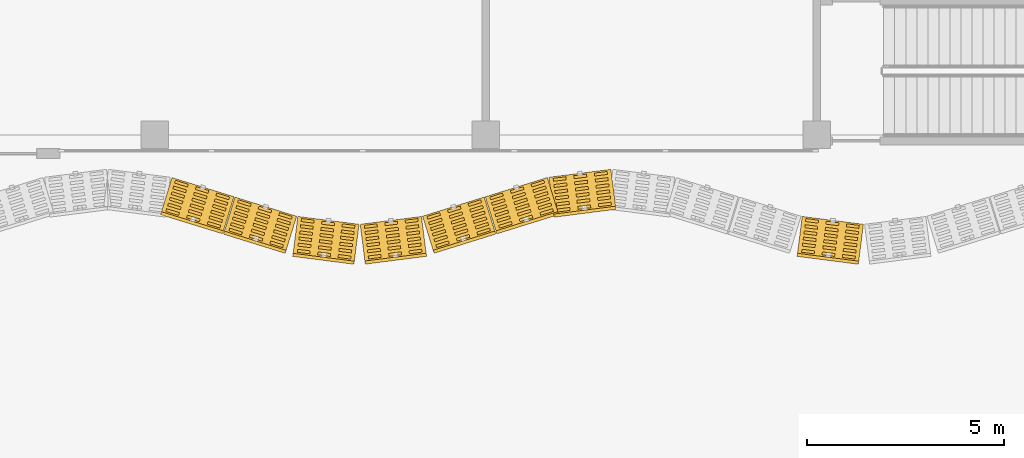
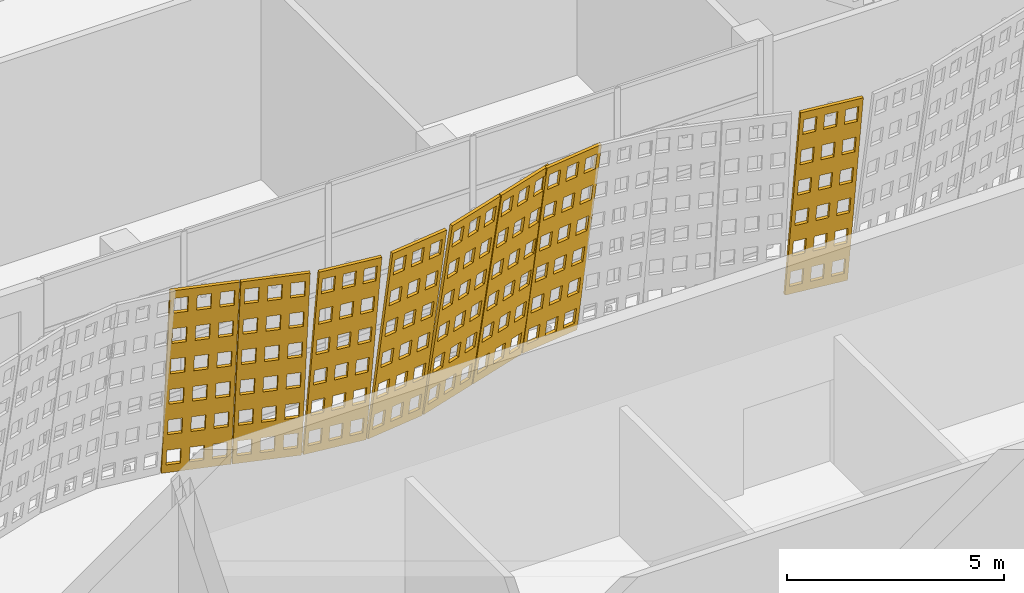
# One storey, part 192 of 210: 8 coverings.
"""IFC4 building model written with IfcOpenShell, lengths in metres."""

from ifc_helpers import new_model, si_unit, direction, frame, origin, place, context, subcontext, project, spatial, polyline, outline, extrude, material, layer, layer_set, type_object, element, save


model = new_model("IFC4")

# Units and contexts
model_context = context("Model", 3, precision=1e-05, world=origin(), true_north=direction((0.0, 1.0)))
body_context = subcontext(model_context, "Body", "Model", "MODEL_VIEW")
ifc_project = project(units=[si_unit("LENGTHUNIT", "METRE"), si_unit("AREAUNIT", "SQUARE_METRE"), si_unit("VOLUMEUNIT", "CUBIC_METRE"), si_unit("PLANEANGLEUNIT", "RADIAN"), si_unit("MASSUNIT", "GRAM", prefix="KILO")], contexts=[model_context])

# Site, building, storey
site_placement = place(None, origin())
site = spatial("IfcSite", under=ifc_project, at=site_placement, CompositionType="ELEMENT")
building_placement = place(site_placement, origin())
building = spatial("IfcBuilding", under=site, at=building_placement, Name="Rain Tree Exposition and Congress Centre", CompositionType="ELEMENT")
storey_placement = place(building_placement, origin())
storey = spatial("IfcBuildingStorey", under=building, at=storey_placement, Name="L00", CompositionType="ELEMENT", Elevation=0.0)

# Coverings
ifc_material = material(Name="Perforated terracotta", Category="masonry")
ifc_layer = layer(ifc_material, 0.080078125)
ifc_layer_set = layer_set([ifc_layer], Name="Perforated terracotta")
covering_type = type_object("IfcCoveringType", Name="Terracotta screen 80", PredefinedType="CLADDING", material=ifc_layer_set)
covering_1_placement = place(storey_placement, frame((193.60009765625, 74.445068359375, 0.0), z_axis=(0.290278371326, 0.94416859726, 0.155833651975), x_axis=(-0.955845867297, 0.293868470528, 0.0)))
element("IfcCovering", 1, at=covering_1_placement, inside=storey, type_object=covering_type, Name="concourse/screen/L00/122", PredefinedType="CLADDING", context=body_context, shape_type="SweptSolid", body=[
    extrude(outline(polyline([(-0.014892578125, 0.0), (-1.659912109375, 0.0), (-1.659912109375, 5.80859375), (-0.014892578125, 5.80859375), (-0.014892578125, 0.0)]), holes=[polyline([(-0.119140625, 0.249755859375), (-0.119140625, 0.71826171875), (-0.458984375, 0.71826171875), (-0.458984375, 0.249755859375), (-0.119140625, 0.249755859375)]), polyline([(-0.119140625, 1.218017578125), (-0.119140625, 1.686279296875), (-0.458984375, 1.686279296875), (-0.458984375, 1.218017578125), (-0.119140625, 1.218017578125)]), polyline([(-0.119140625, 2.18603515625), (-0.119140625, 2.654541015625), (-0.458984375, 2.654541015625), (-0.458984375, 2.18603515625), (-0.119140625, 2.18603515625)]), polyline([(-0.119140625, 3.154052734375), (-0.119140625, 3.62255859375), (-0.458984375, 3.62255859375), (-0.458984375, 3.154052734375), (-0.119140625, 3.154052734375)]), polyline([(-0.119140625, 4.122314453125), (-0.119140625, 4.5908203125), (-0.458984375, 4.5908203125), (-0.458984375, 4.122314453125), (-0.119140625, 4.122314453125)]), polyline([(-0.119140625, 5.09033203125), (-0.119140625, 5.558837890625), (-0.458984375, 5.558837890625), (-0.458984375, 5.09033203125), (-0.119140625, 5.09033203125)]), polyline([(-0.66748046875, 0.249755859375), (-0.66748046875, 0.71826171875), (-1.00732421875, 0.71826171875), (-1.00732421875, 0.249755859375), (-0.66748046875, 0.249755859375)]), polyline([(-0.66748046875, 1.218017578125), (-0.66748046875, 1.686279296875), (-1.00732421875, 1.686279296875), (-1.00732421875, 1.218017578125), (-0.66748046875, 1.218017578125)]), polyline([(-0.66748046875, 2.18603515625), (-0.66748046875, 2.654541015625), (-1.00732421875, 2.654541015625), (-1.00732421875, 2.18603515625), (-0.66748046875, 2.18603515625)]), polyline([(-0.66748046875, 3.154052734375), (-0.66748046875, 3.62255859375), (-1.00732421875, 3.62255859375), (-1.00732421875, 3.154052734375), (-0.66748046875, 3.154052734375)]), polyline([(-0.66748046875, 4.122314453125), (-0.66748046875, 4.5908203125), (-1.00732421875, 4.5908203125), (-1.00732421875, 4.122314453125), (-0.66748046875, 4.122314453125)]), polyline([(-0.66748046875, 5.09033203125), (-0.66748046875, 5.558837890625), (-1.00732421875, 5.558837890625), (-1.00732421875, 5.09033203125), (-0.66748046875, 5.09033203125)]), polyline([(-1.2158203125, 0.249755859375), (-1.2158203125, 0.71826171875), (-1.5556640625, 0.71826171875), (-1.5556640625, 0.249755859375), (-1.2158203125, 0.249755859375)]), polyline([(-1.2158203125, 1.218017578125), (-1.2158203125, 1.686279296875), (-1.5556640625, 1.686279296875), (-1.5556640625, 1.218017578125), (-1.2158203125, 1.218017578125)]), polyline([(-1.2158203125, 2.18603515625), (-1.2158203125, 2.654541015625), (-1.5556640625, 2.654541015625), (-1.5556640625, 2.18603515625), (-1.2158203125, 2.18603515625)]), polyline([(-1.2158203125, 3.154052734375), (-1.2158203125, 3.62255859375), (-1.5556640625, 3.62255859375), (-1.5556640625, 3.154052734375), (-1.2158203125, 3.154052734375)]), polyline([(-1.2158203125, 4.122314453125), (-1.2158203125, 4.5908203125), (-1.5556640625, 4.5908203125), (-1.5556640625, 4.122314453125), (-1.2158203125, 4.122314453125)]), polyline([(-1.2158203125, 5.09033203125), (-1.2158203125, 5.558837890625), (-1.5556640625, 5.558837890625), (-1.5556640625, 5.09033203125), (-1.2158203125, 5.09033203125)])]), origin(), (0.0, 0.0, 1.0), 0.079833984375),
])
covering_2_placement = place(storey_placement, frame((195.199951171875, 73.949951171875, 0.0), z_axis=(0.293072736571, 0.943327870838, 0.155694891303), x_axis=(-0.954973588716, 0.296690823679, 0.0)))
element("IfcCovering", 2, at=covering_2_placement, inside=storey, type_object=covering_type, Name="concourse/screen/L00/123", PredefinedType="CLADDING", context=body_context, shape_type="SweptSolid", body=[
    extrude(outline(polyline([(-0.014892578125, 0.0), (-1.65283203125, 0.0), (-1.65283203125, 5.80859375), (-0.014892578125, 5.80859375), (-0.014892578125, 0.0)]), holes=[polyline([(-0.11865234375, 0.249755859375), (-0.11865234375, 0.71826171875), (-0.457275390625, 0.71826171875), (-0.457275390625, 0.249755859375), (-0.11865234375, 0.249755859375)]), polyline([(-0.11865234375, 1.218017578125), (-0.11865234375, 1.686279296875), (-0.457275390625, 1.686279296875), (-0.457275390625, 1.218017578125), (-0.11865234375, 1.218017578125)]), polyline([(-0.11865234375, 2.18603515625), (-0.11865234375, 2.654541015625), (-0.457275390625, 2.654541015625), (-0.457275390625, 2.18603515625), (-0.11865234375, 2.18603515625)]), polyline([(-0.11865234375, 3.154052734375), (-0.11865234375, 3.62255859375), (-0.457275390625, 3.62255859375), (-0.457275390625, 3.154052734375), (-0.11865234375, 3.154052734375)]), polyline([(-0.11865234375, 4.122314453125), (-0.11865234375, 4.5908203125), (-0.457275390625, 4.5908203125), (-0.457275390625, 4.122314453125), (-0.11865234375, 4.122314453125)]), polyline([(-0.11865234375, 5.09033203125), (-0.11865234375, 5.558837890625), (-0.457275390625, 5.558837890625), (-0.457275390625, 5.09033203125), (-0.11865234375, 5.09033203125)]), polyline([(-0.664794921875, 0.249755859375), (-0.664794921875, 0.71826171875), (-1.003173828125, 0.71826171875), (-1.003173828125, 0.249755859375), (-0.664794921875, 0.249755859375)]), polyline([(-0.664794921875, 1.218017578125), (-0.664794921875, 1.686279296875), (-1.003173828125, 1.686279296875), (-1.003173828125, 1.218017578125), (-0.664794921875, 1.218017578125)]), polyline([(-0.664794921875, 2.18603515625), (-0.664794921875, 2.654541015625), (-1.003173828125, 2.654541015625), (-1.003173828125, 2.18603515625), (-0.664794921875, 2.18603515625)]), polyline([(-0.664794921875, 3.154052734375), (-0.664794921875, 3.62255859375), (-1.003173828125, 3.62255859375), (-1.003173828125, 3.154052734375), (-0.664794921875, 3.154052734375)]), polyline([(-0.664794921875, 4.122314453125), (-0.664794921875, 4.5908203125), (-1.003173828125, 4.5908203125), (-1.003173828125, 4.122314453125), (-0.664794921875, 4.122314453125)]), polyline([(-0.664794921875, 5.09033203125), (-0.664794921875, 5.558837890625), (-1.003173828125, 5.558837890625), (-1.003173828125, 5.09033203125), (-0.664794921875, 5.09033203125)]), polyline([(-1.210693359375, 0.249755859375), (-1.210693359375, 0.71826171875), (-1.54931640625, 0.71826171875), (-1.54931640625, 0.249755859375), (-1.210693359375, 0.249755859375)]), polyline([(-1.210693359375, 1.218017578125), (-1.210693359375, 1.686279296875), (-1.54931640625, 1.686279296875), (-1.54931640625, 1.218017578125), (-1.210693359375, 1.218017578125)]), polyline([(-1.210693359375, 2.18603515625), (-1.210693359375, 2.654541015625), (-1.54931640625, 2.654541015625), (-1.54931640625, 2.18603515625), (-1.210693359375, 2.18603515625)]), polyline([(-1.210693359375, 3.154052734375), (-1.210693359375, 3.62255859375), (-1.54931640625, 3.62255859375), (-1.54931640625, 3.154052734375), (-1.210693359375, 3.154052734375)]), polyline([(-1.210693359375, 4.122314453125), (-1.210693359375, 4.5908203125), (-1.54931640625, 4.5908203125), (-1.54931640625, 4.122314453125), (-1.210693359375, 4.122314453125)]), polyline([(-1.210693359375, 5.09033203125), (-1.210693359375, 5.558837890625), (-1.54931640625, 5.558837890625), (-1.54931640625, 5.09033203125), (-1.210693359375, 5.09033203125)])]), origin(), (0.0, 0.0, 1.0), 0.080078125),
])
covering_3_placement = place(storey_placement, frame((196.800048828125, 73.455078125, 0.0), z_axis=(0.125405134464, 0.978771781185, 0.162109076259), x_axis=(-0.991891686382, 0.127086122318, 0.0)))
element("IfcCovering", 3, at=covering_3_placement, inside=storey, type_object=covering_type, Name="concourse/screen/L00/124", PredefinedType="CLADDING", context=body_context, shape_type="SweptSolid", body=[
    extrude(outline(polyline([(-0.02197265625, 0.0), (-1.587890625, 0.0), (-1.587890625, 5.813720703125), (-0.02197265625, 5.813720703125), (-0.02197265625, 0.0)]), holes=[polyline([(-0.12109375, 0.25), (-0.12109375, 0.718994140625), (-0.444580078125, 0.718994140625), (-0.444580078125, 0.25), (-0.12109375, 0.25)]), polyline([(-0.12109375, 1.218994140625), (-0.12109375, 1.687744140625), (-0.444580078125, 1.687744140625), (-0.444580078125, 1.218994140625), (-0.12109375, 1.218994140625)]), polyline([(-0.12109375, 2.18798828125), (-0.12109375, 2.65673828125), (-0.444580078125, 2.65673828125), (-0.444580078125, 2.18798828125), (-0.12109375, 2.18798828125)]), polyline([(-0.12109375, 3.156982421875), (-0.12109375, 3.625732421875), (-0.444580078125, 3.625732421875), (-0.444580078125, 3.156982421875), (-0.12109375, 3.156982421875)]), polyline([(-0.12109375, 4.125732421875), (-0.12109375, 4.594482421875), (-0.444580078125, 4.594482421875), (-0.444580078125, 4.125732421875), (-0.12109375, 4.125732421875)]), polyline([(-0.12109375, 5.0947265625), (-0.12109375, 5.563720703125), (-0.444580078125, 5.563720703125), (-0.444580078125, 5.0947265625), (-0.12109375, 5.0947265625)]), polyline([(-0.64306640625, 0.25), (-0.64306640625, 0.718994140625), (-0.966796875, 0.718994140625), (-0.966796875, 0.25), (-0.64306640625, 0.25)]), polyline([(-0.64306640625, 1.218994140625), (-0.64306640625, 1.687744140625), (-0.966796875, 1.687744140625), (-0.966796875, 1.218994140625), (-0.64306640625, 1.218994140625)]), polyline([(-0.64306640625, 2.18798828125), (-0.64306640625, 2.65673828125), (-0.966796875, 2.65673828125), (-0.966796875, 2.18798828125), (-0.64306640625, 2.18798828125)]), polyline([(-0.64306640625, 3.156982421875), (-0.64306640625, 3.625732421875), (-0.966796875, 3.625732421875), (-0.966796875, 3.156982421875), (-0.64306640625, 3.156982421875)]), polyline([(-0.64306640625, 4.125732421875), (-0.64306640625, 4.594482421875), (-0.966796875, 4.594482421875), (-0.966796875, 4.125732421875), (-0.64306640625, 4.125732421875)]), polyline([(-0.64306640625, 5.0947265625), (-0.64306640625, 5.563720703125), (-0.966796875, 5.563720703125), (-0.966796875, 5.0947265625), (-0.64306640625, 5.0947265625)]), polyline([(-1.1650390625, 0.25), (-1.1650390625, 0.718994140625), (-1.48876953125, 0.718994140625), (-1.48876953125, 0.25), (-1.1650390625, 0.25)]), polyline([(-1.1650390625, 1.218994140625), (-1.1650390625, 1.687744140625), (-1.48876953125, 1.687744140625), (-1.48876953125, 1.218994140625), (-1.1650390625, 1.218994140625)]), polyline([(-1.1650390625, 2.18798828125), (-1.1650390625, 2.65673828125), (-1.48876953125, 2.65673828125), (-1.48876953125, 2.18798828125), (-1.1650390625, 2.18798828125)]), polyline([(-1.1650390625, 3.156982421875), (-1.1650390625, 3.625732421875), (-1.48876953125, 3.625732421875), (-1.48876953125, 3.156982421875), (-1.1650390625, 3.156982421875)]), polyline([(-1.1650390625, 4.125732421875), (-1.1650390625, 4.594482421875), (-1.48876953125, 4.594482421875), (-1.48876953125, 4.125732421875), (-1.1650390625, 4.125732421875)]), polyline([(-1.1650390625, 5.0947265625), (-1.1650390625, 5.563720703125), (-1.48876953125, 5.563720703125), (-1.48876953125, 5.0947265625), (-1.1650390625, 5.0947265625)])]), origin(), (0.0, 0.0, 1.0), 0.079833984375),
])
covering_4_placement = place(storey_placement, frame((198.39990234375, 73.25, 0.0), z_axis=(-0.125030801275, 0.978899688033, 0.161625182136), x_axis=(-0.991941518713, -0.126696580272, 0.0)))
element("IfcCovering", 4, at=covering_4_placement, inside=storey, type_object=covering_type, Name="concourse/screen/L00/125", PredefinedType="CLADDING", context=body_context, shape_type="SweptSolid", body=[
    extrude(outline(polyline([(-0.025146484375, 0.0), (-1.59130859375, 0.0), (-1.59130859375, 5.813720703125), (-0.025146484375, 5.813720703125), (-0.025146484375, 0.0)]), holes=[polyline([(-0.12451171875, 0.25), (-0.12451171875, 0.718994140625), (-0.447998046875, 0.718994140625), (-0.447998046875, 0.25), (-0.12451171875, 0.25)]), polyline([(-0.12451171875, 1.218994140625), (-0.12451171875, 1.687744140625), (-0.447998046875, 1.687744140625), (-0.447998046875, 1.218994140625), (-0.12451171875, 1.218994140625)]), polyline([(-0.12451171875, 2.18798828125), (-0.12451171875, 2.65673828125), (-0.447998046875, 2.65673828125), (-0.447998046875, 2.18798828125), (-0.12451171875, 2.18798828125)]), polyline([(-0.12451171875, 3.156982421875), (-0.12451171875, 3.625732421875), (-0.447998046875, 3.625732421875), (-0.447998046875, 3.156982421875), (-0.12451171875, 3.156982421875)]), polyline([(-0.12451171875, 4.125732421875), (-0.12451171875, 4.594482421875), (-0.447998046875, 4.594482421875), (-0.447998046875, 4.125732421875), (-0.12451171875, 4.125732421875)]), polyline([(-0.12451171875, 5.0947265625), (-0.12451171875, 5.563720703125), (-0.447998046875, 5.563720703125), (-0.447998046875, 5.0947265625), (-0.12451171875, 5.0947265625)]), polyline([(-0.646484375, 0.25), (-0.646484375, 0.718994140625), (-0.969970703125, 0.718994140625), (-0.969970703125, 0.25), (-0.646484375, 0.25)]), polyline([(-0.646484375, 1.218994140625), (-0.646484375, 1.687744140625), (-0.969970703125, 1.687744140625), (-0.969970703125, 1.218994140625), (-0.646484375, 1.218994140625)]), polyline([(-0.646484375, 2.18798828125), (-0.646484375, 2.65673828125), (-0.969970703125, 2.65673828125), (-0.969970703125, 2.18798828125), (-0.646484375, 2.18798828125)]), polyline([(-0.646484375, 3.156982421875), (-0.646484375, 3.625732421875), (-0.969970703125, 3.625732421875), (-0.969970703125, 3.156982421875), (-0.646484375, 3.156982421875)]), polyline([(-0.646484375, 4.125732421875), (-0.646484375, 4.594482421875), (-0.969970703125, 4.594482421875), (-0.969970703125, 4.125732421875), (-0.646484375, 4.125732421875)]), polyline([(-0.646484375, 5.0947265625), (-0.646484375, 5.563720703125), (-0.969970703125, 5.563720703125), (-0.969970703125, 5.0947265625), (-0.646484375, 5.0947265625)]), polyline([(-1.16845703125, 0.25), (-1.16845703125, 0.718994140625), (-1.491943359375, 0.718994140625), (-1.491943359375, 0.25), (-1.16845703125, 0.25)]), polyline([(-1.16845703125, 1.218994140625), (-1.16845703125, 1.687744140625), (-1.491943359375, 1.687744140625), (-1.491943359375, 1.218994140625), (-1.16845703125, 1.218994140625)]), polyline([(-1.16845703125, 2.18798828125), (-1.16845703125, 2.65673828125), (-1.491943359375, 2.65673828125), (-1.491943359375, 2.18798828125), (-1.16845703125, 2.18798828125)]), polyline([(-1.16845703125, 3.156982421875), (-1.16845703125, 3.625732421875), (-1.491943359375, 3.625732421875), (-1.491943359375, 3.156982421875), (-1.16845703125, 3.156982421875)]), polyline([(-1.16845703125, 4.125732421875), (-1.16845703125, 4.594482421875), (-1.491943359375, 4.594482421875), (-1.491943359375, 4.125732421875), (-1.16845703125, 4.125732421875)]), polyline([(-1.16845703125, 5.0947265625), (-1.16845703125, 5.563720703125), (-1.491943359375, 5.563720703125), (-1.491943359375, 5.0947265625), (-1.16845703125, 5.0947265625)])]), origin(), (0.0, 0.0, 1.0), 0.080078125),
])
covering_5_placement = place(storey_placement, frame((200.0, 73.455078125, 0.0), z_axis=(-0.293072736571, 0.943327870838, 0.155694891303), x_axis=(-0.954973588716, -0.296690823679, 0.0)))
element("IfcCovering", 5, at=covering_5_placement, inside=storey, type_object=covering_type, Name="concourse/screen/L00/126", PredefinedType="CLADDING", context=body_context, shape_type="SweptSolid", body=[
    extrude(outline(polyline([(-0.02197265625, 0.0), (-1.659912109375, 0.0), (-1.659912109375, 5.80859375), (-0.02197265625, 5.80859375), (-0.02197265625, 0.0)]), holes=[polyline([(-0.125732421875, 0.249755859375), (-0.125732421875, 0.71826171875), (-0.464111328125, 0.71826171875), (-0.464111328125, 0.249755859375), (-0.125732421875, 0.249755859375)]), polyline([(-0.125732421875, 1.218017578125), (-0.125732421875, 1.686279296875), (-0.464111328125, 1.686279296875), (-0.464111328125, 1.218017578125), (-0.125732421875, 1.218017578125)]), polyline([(-0.125732421875, 2.18603515625), (-0.125732421875, 2.654541015625), (-0.464111328125, 2.654541015625), (-0.464111328125, 2.18603515625), (-0.125732421875, 2.18603515625)]), polyline([(-0.125732421875, 3.154052734375), (-0.125732421875, 3.62255859375), (-0.464111328125, 3.62255859375), (-0.464111328125, 3.154052734375), (-0.125732421875, 3.154052734375)]), polyline([(-0.125732421875, 4.122314453125), (-0.125732421875, 4.5908203125), (-0.464111328125, 4.5908203125), (-0.464111328125, 4.122314453125), (-0.125732421875, 4.122314453125)]), polyline([(-0.125732421875, 5.09033203125), (-0.125732421875, 5.558837890625), (-0.464111328125, 5.558837890625), (-0.464111328125, 5.09033203125), (-0.125732421875, 5.09033203125)]), polyline([(-0.671630859375, 0.249755859375), (-0.671630859375, 0.71826171875), (-1.010009765625, 0.71826171875), (-1.010009765625, 0.249755859375), (-0.671630859375, 0.249755859375)]), polyline([(-0.671630859375, 1.218017578125), (-0.671630859375, 1.686279296875), (-1.010009765625, 1.686279296875), (-1.010009765625, 1.218017578125), (-0.671630859375, 1.218017578125)]), polyline([(-0.671630859375, 2.18603515625), (-0.671630859375, 2.654541015625), (-1.010009765625, 2.654541015625), (-1.010009765625, 2.18603515625), (-0.671630859375, 2.18603515625)]), polyline([(-0.671630859375, 3.154052734375), (-0.671630859375, 3.62255859375), (-1.010009765625, 3.62255859375), (-1.010009765625, 3.154052734375), (-0.671630859375, 3.154052734375)]), polyline([(-0.671630859375, 4.122314453125), (-0.671630859375, 4.5908203125), (-1.010009765625, 4.5908203125), (-1.010009765625, 4.122314453125), (-0.671630859375, 4.122314453125)]), polyline([(-0.671630859375, 5.09033203125), (-0.671630859375, 5.558837890625), (-1.010009765625, 5.558837890625), (-1.010009765625, 5.09033203125), (-0.671630859375, 5.09033203125)]), polyline([(-1.217529296875, 0.249755859375), (-1.217529296875, 0.71826171875), (-1.55615234375, 0.71826171875), (-1.55615234375, 0.249755859375), (-1.217529296875, 0.249755859375)]), polyline([(-1.217529296875, 1.218017578125), (-1.217529296875, 1.686279296875), (-1.55615234375, 1.686279296875), (-1.55615234375, 1.218017578125), (-1.217529296875, 1.218017578125)]), polyline([(-1.217529296875, 2.18603515625), (-1.217529296875, 2.654541015625), (-1.55615234375, 2.654541015625), (-1.55615234375, 2.18603515625), (-1.217529296875, 2.18603515625)]), polyline([(-1.217529296875, 3.154052734375), (-1.217529296875, 3.62255859375), (-1.55615234375, 3.62255859375), (-1.55615234375, 3.154052734375), (-1.217529296875, 3.154052734375)]), polyline([(-1.217529296875, 4.122314453125), (-1.217529296875, 4.5908203125), (-1.55615234375, 4.5908203125), (-1.55615234375, 4.122314453125), (-1.217529296875, 4.122314453125)]), polyline([(-1.217529296875, 5.09033203125), (-1.217529296875, 5.558837890625), (-1.55615234375, 5.558837890625), (-1.55615234375, 5.09033203125), (-1.217529296875, 5.09033203125)])]), origin(), (0.0, 0.0, 1.0), 0.080078125),
])
covering_6_placement = place(storey_placement, frame((201.60009765625, 73.949951171875, 0.0), z_axis=(-0.293072736571, 0.943327870838, 0.155694891303), x_axis=(-0.954973588716, -0.296690823679, 0.0)))
element("IfcCovering", 6, at=covering_6_placement, inside=storey, type_object=covering_type, Name="concourse/screen/L00/127", PredefinedType="CLADDING", context=body_context, shape_type="SweptSolid", body=[
    extrude(outline(polyline([(-0.014892578125, 0.0), (-1.659912109375, 0.0), (-1.659912109375, 5.80859375), (-0.014892578125, 5.80859375), (-0.014892578125, 0.0)]), holes=[polyline([(-0.119140625, 0.249755859375), (-0.119140625, 0.71826171875), (-0.458984375, 0.71826171875), (-0.458984375, 0.249755859375), (-0.119140625, 0.249755859375)]), polyline([(-0.119140625, 1.218017578125), (-0.119140625, 1.686279296875), (-0.458984375, 1.686279296875), (-0.458984375, 1.218017578125), (-0.119140625, 1.218017578125)]), polyline([(-0.119140625, 2.18603515625), (-0.119140625, 2.654541015625), (-0.458984375, 2.654541015625), (-0.458984375, 2.18603515625), (-0.119140625, 2.18603515625)]), polyline([(-0.119140625, 3.154052734375), (-0.119140625, 3.62255859375), (-0.458984375, 3.62255859375), (-0.458984375, 3.154052734375), (-0.119140625, 3.154052734375)]), polyline([(-0.119140625, 4.122314453125), (-0.119140625, 4.5908203125), (-0.458984375, 4.5908203125), (-0.458984375, 4.122314453125), (-0.119140625, 4.122314453125)]), polyline([(-0.119140625, 5.09033203125), (-0.119140625, 5.558837890625), (-0.458984375, 5.558837890625), (-0.458984375, 5.09033203125), (-0.119140625, 5.09033203125)]), polyline([(-0.66748046875, 0.249755859375), (-0.66748046875, 0.71826171875), (-1.00732421875, 0.71826171875), (-1.00732421875, 0.249755859375), (-0.66748046875, 0.249755859375)]), polyline([(-0.66748046875, 1.218017578125), (-0.66748046875, 1.686279296875), (-1.00732421875, 1.686279296875), (-1.00732421875, 1.218017578125), (-0.66748046875, 1.218017578125)]), polyline([(-0.66748046875, 2.18603515625), (-0.66748046875, 2.654541015625), (-1.00732421875, 2.654541015625), (-1.00732421875, 2.18603515625), (-0.66748046875, 2.18603515625)]), polyline([(-0.66748046875, 3.154052734375), (-0.66748046875, 3.62255859375), (-1.00732421875, 3.62255859375), (-1.00732421875, 3.154052734375), (-0.66748046875, 3.154052734375)]), polyline([(-0.66748046875, 4.122314453125), (-0.66748046875, 4.5908203125), (-1.00732421875, 4.5908203125), (-1.00732421875, 4.122314453125), (-0.66748046875, 4.122314453125)]), polyline([(-0.66748046875, 5.09033203125), (-0.66748046875, 5.558837890625), (-1.00732421875, 5.558837890625), (-1.00732421875, 5.09033203125), (-0.66748046875, 5.09033203125)]), polyline([(-1.2158203125, 0.249755859375), (-1.2158203125, 0.71826171875), (-1.5556640625, 0.71826171875), (-1.5556640625, 0.249755859375), (-1.2158203125, 0.249755859375)]), polyline([(-1.2158203125, 1.218017578125), (-1.2158203125, 1.686279296875), (-1.5556640625, 1.686279296875), (-1.5556640625, 1.218017578125), (-1.2158203125, 1.218017578125)]), polyline([(-1.2158203125, 2.18603515625), (-1.2158203125, 2.654541015625), (-1.5556640625, 2.654541015625), (-1.5556640625, 2.18603515625), (-1.2158203125, 2.18603515625)]), polyline([(-1.2158203125, 3.154052734375), (-1.2158203125, 3.62255859375), (-1.5556640625, 3.62255859375), (-1.5556640625, 3.154052734375), (-1.2158203125, 3.154052734375)]), polyline([(-1.2158203125, 4.122314453125), (-1.2158203125, 4.5908203125), (-1.5556640625, 4.5908203125), (-1.5556640625, 4.122314453125), (-1.2158203125, 4.122314453125)]), polyline([(-1.2158203125, 5.09033203125), (-1.2158203125, 5.558837890625), (-1.5556640625, 5.558837890625), (-1.5556640625, 5.09033203125), (-1.2158203125, 5.09033203125)])]), origin(), (0.0, 0.0, 1.0), 0.080078125),
])
covering_7_placement = place(storey_placement, frame((203.199951171875, 74.445068359375, 0.0), z_axis=(-0.125405134464, 0.978771781185, 0.162109076259), x_axis=(-0.991891686382, -0.127086122318, 0.0)))
element("IfcCovering", 7, at=covering_7_placement, inside=storey, type_object=covering_type, Name="concourse/screen/L00/128", PredefinedType="CLADDING", context=body_context, shape_type="SweptSolid", body=[
    extrude(outline(polyline([(-0.014892578125, 0.0), (-1.59814453125, 0.0), (-1.59814453125, 5.813720703125), (-0.014892578125, 5.813720703125), (-0.014892578125, 0.0)]), holes=[polyline([(-0.115234375, 0.25), (-0.115234375, 0.718994140625), (-0.4423828125, 0.718994140625), (-0.4423828125, 0.25), (-0.115234375, 0.25)]), polyline([(-0.115234375, 1.218994140625), (-0.115234375, 1.687744140625), (-0.4423828125, 1.687744140625), (-0.4423828125, 1.218994140625), (-0.115234375, 1.218994140625)]), polyline([(-0.115234375, 2.18798828125), (-0.115234375, 2.65673828125), (-0.4423828125, 2.65673828125), (-0.4423828125, 2.18798828125), (-0.115234375, 2.18798828125)]), polyline([(-0.115234375, 3.156982421875), (-0.115234375, 3.625732421875), (-0.4423828125, 3.625732421875), (-0.4423828125, 3.156982421875), (-0.115234375, 3.156982421875)]), polyline([(-0.115234375, 4.125732421875), (-0.115234375, 4.594482421875), (-0.4423828125, 4.594482421875), (-0.4423828125, 4.125732421875), (-0.115234375, 4.125732421875)]), polyline([(-0.115234375, 5.0947265625), (-0.115234375, 5.563720703125), (-0.4423828125, 5.563720703125), (-0.4423828125, 5.0947265625), (-0.115234375, 5.0947265625)]), polyline([(-0.64306640625, 0.25), (-0.64306640625, 0.718994140625), (-0.97021484375, 0.718994140625), (-0.97021484375, 0.25), (-0.64306640625, 0.25)]), polyline([(-0.64306640625, 1.218994140625), (-0.64306640625, 1.687744140625), (-0.97021484375, 1.687744140625), (-0.97021484375, 1.218994140625), (-0.64306640625, 1.218994140625)]), polyline([(-0.64306640625, 2.18798828125), (-0.64306640625, 2.65673828125), (-0.97021484375, 2.65673828125), (-0.97021484375, 2.18798828125), (-0.64306640625, 2.18798828125)]), polyline([(-0.64306640625, 3.156982421875), (-0.64306640625, 3.625732421875), (-0.97021484375, 3.625732421875), (-0.97021484375, 3.156982421875), (-0.64306640625, 3.156982421875)]), polyline([(-0.64306640625, 4.125732421875), (-0.64306640625, 4.594482421875), (-0.97021484375, 4.594482421875), (-0.97021484375, 4.125732421875), (-0.64306640625, 4.125732421875)]), polyline([(-0.64306640625, 5.0947265625), (-0.64306640625, 5.563720703125), (-0.97021484375, 5.563720703125), (-0.97021484375, 5.0947265625), (-0.64306640625, 5.0947265625)]), polyline([(-1.170654296875, 0.25), (-1.170654296875, 0.718994140625), (-1.497802734375, 0.718994140625), (-1.497802734375, 0.25), (-1.170654296875, 0.25)]), polyline([(-1.170654296875, 1.218994140625), (-1.170654296875, 1.687744140625), (-1.497802734375, 1.687744140625), (-1.497802734375, 1.218994140625), (-1.170654296875, 1.218994140625)]), polyline([(-1.170654296875, 2.18798828125), (-1.170654296875, 2.65673828125), (-1.497802734375, 2.65673828125), (-1.497802734375, 2.18798828125), (-1.170654296875, 2.18798828125)]), polyline([(-1.170654296875, 3.156982421875), (-1.170654296875, 3.625732421875), (-1.497802734375, 3.625732421875), (-1.497802734375, 3.156982421875), (-1.170654296875, 3.156982421875)]), polyline([(-1.170654296875, 4.125732421875), (-1.170654296875, 4.594482421875), (-1.497802734375, 4.594482421875), (-1.497802734375, 4.125732421875), (-1.170654296875, 4.125732421875)]), polyline([(-1.170654296875, 5.0947265625), (-1.170654296875, 5.563720703125), (-1.497802734375, 5.563720703125), (-1.497802734375, 5.0947265625), (-1.170654296875, 5.0947265625)])]), origin(), (0.0, 0.0, 1.0), 0.079833984375),
])
covering_8_placement = place(storey_placement, frame((209.60009765625, 73.455078125, 0.0), z_axis=(0.125405134464, 0.978771781185, 0.162109076259), x_axis=(-0.991891686382, 0.127086122318, 0.0)))
element("IfcCovering", 8, at=covering_8_placement, inside=storey, type_object=covering_type, Name="concourse/screen/L00/132", PredefinedType="CLADDING", context=body_context, shape_type="SweptSolid", body=[
    extrude(outline(polyline([(-0.02197265625, 0.0), (-1.587890625, 0.0), (-1.587890625, 5.813720703125), (-0.02197265625, 5.813720703125), (-0.02197265625, 0.0)]), holes=[polyline([(-0.12109375, 0.25), (-0.12109375, 0.718994140625), (-0.444580078125, 0.718994140625), (-0.444580078125, 0.25), (-0.12109375, 0.25)]), polyline([(-0.12109375, 1.218994140625), (-0.12109375, 1.687744140625), (-0.444580078125, 1.687744140625), (-0.444580078125, 1.218994140625), (-0.12109375, 1.218994140625)]), polyline([(-0.12109375, 2.18798828125), (-0.12109375, 2.65673828125), (-0.444580078125, 2.65673828125), (-0.444580078125, 2.18798828125), (-0.12109375, 2.18798828125)]), polyline([(-0.12109375, 3.156982421875), (-0.12109375, 3.625732421875), (-0.444580078125, 3.625732421875), (-0.444580078125, 3.156982421875), (-0.12109375, 3.156982421875)]), polyline([(-0.12109375, 4.125732421875), (-0.12109375, 4.594482421875), (-0.444580078125, 4.594482421875), (-0.444580078125, 4.125732421875), (-0.12109375, 4.125732421875)]), polyline([(-0.12109375, 5.0947265625), (-0.12109375, 5.563720703125), (-0.444580078125, 5.563720703125), (-0.444580078125, 5.0947265625), (-0.12109375, 5.0947265625)]), polyline([(-0.64306640625, 0.25), (-0.64306640625, 0.718994140625), (-0.966796875, 0.718994140625), (-0.966796875, 0.25), (-0.64306640625, 0.25)]), polyline([(-0.64306640625, 1.218994140625), (-0.64306640625, 1.687744140625), (-0.966796875, 1.687744140625), (-0.966796875, 1.218994140625), (-0.64306640625, 1.218994140625)]), polyline([(-0.64306640625, 2.18798828125), (-0.64306640625, 2.65673828125), (-0.966796875, 2.65673828125), (-0.966796875, 2.18798828125), (-0.64306640625, 2.18798828125)]), polyline([(-0.64306640625, 3.156982421875), (-0.64306640625, 3.625732421875), (-0.966796875, 3.625732421875), (-0.966796875, 3.156982421875), (-0.64306640625, 3.156982421875)]), polyline([(-0.64306640625, 4.125732421875), (-0.64306640625, 4.594482421875), (-0.966796875, 4.594482421875), (-0.966796875, 4.125732421875), (-0.64306640625, 4.125732421875)]), polyline([(-0.64306640625, 5.0947265625), (-0.64306640625, 5.563720703125), (-0.966796875, 5.563720703125), (-0.966796875, 5.0947265625), (-0.64306640625, 5.0947265625)]), polyline([(-1.1650390625, 0.25), (-1.1650390625, 0.718994140625), (-1.48876953125, 0.718994140625), (-1.48876953125, 0.25), (-1.1650390625, 0.25)]), polyline([(-1.1650390625, 1.218994140625), (-1.1650390625, 1.687744140625), (-1.48876953125, 1.687744140625), (-1.48876953125, 1.218994140625), (-1.1650390625, 1.218994140625)]), polyline([(-1.1650390625, 2.18798828125), (-1.1650390625, 2.65673828125), (-1.48876953125, 2.65673828125), (-1.48876953125, 2.18798828125), (-1.1650390625, 2.18798828125)]), polyline([(-1.1650390625, 3.156982421875), (-1.1650390625, 3.625732421875), (-1.48876953125, 3.625732421875), (-1.48876953125, 3.156982421875), (-1.1650390625, 3.156982421875)]), polyline([(-1.1650390625, 4.125732421875), (-1.1650390625, 4.594482421875), (-1.48876953125, 4.594482421875), (-1.48876953125, 4.125732421875), (-1.1650390625, 4.125732421875)]), polyline([(-1.1650390625, 5.0947265625), (-1.1650390625, 5.563720703125), (-1.48876953125, 5.563720703125), (-1.48876953125, 5.0947265625), (-1.1650390625, 5.0947265625)])]), origin(), (0.0, 0.0, 1.0), 0.079833984375),
])

save(model, "model.ifc")
